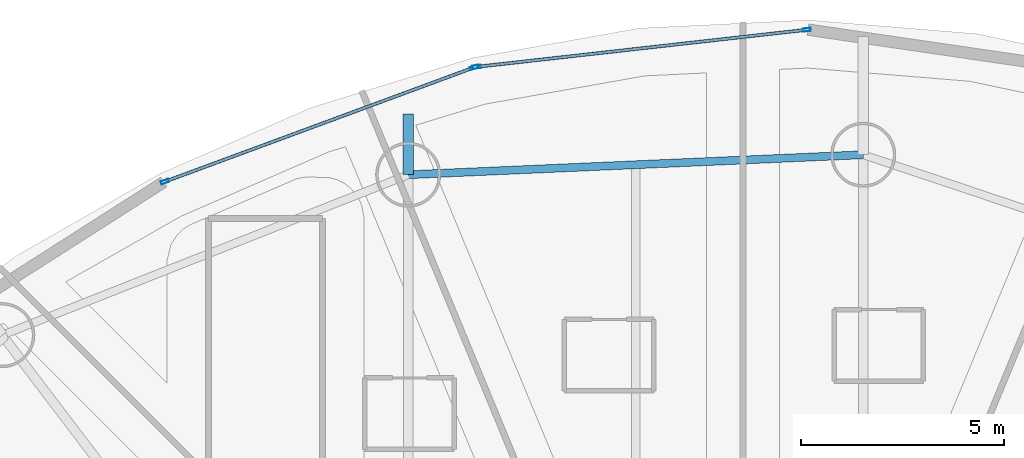
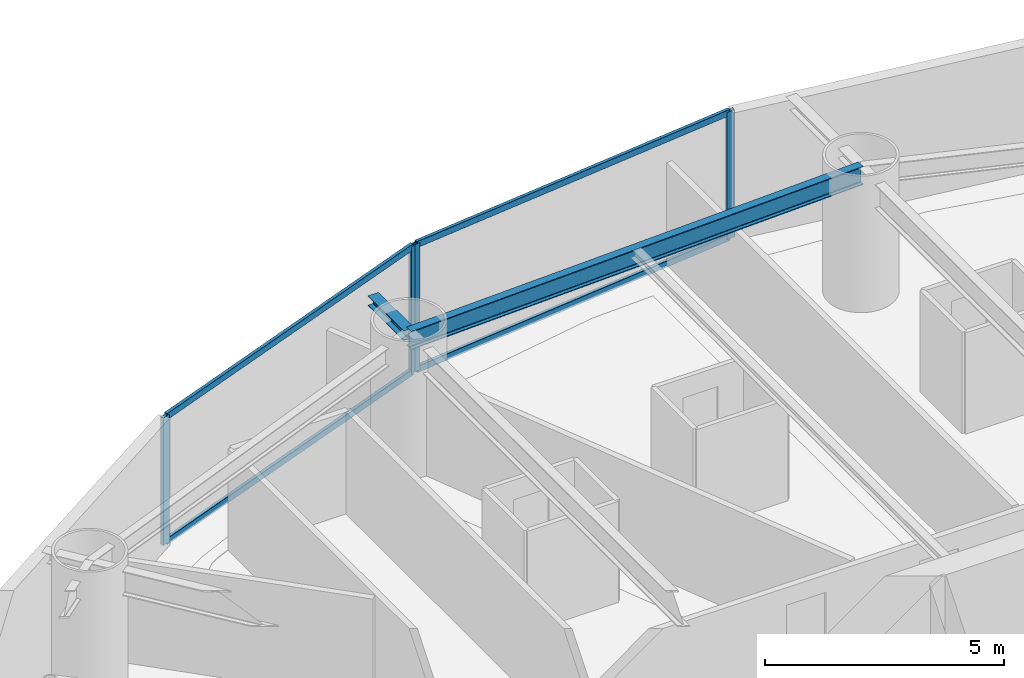
# One storey, part 15 of 27: 8 members, 2 beams, 2 elements without a shape of their own.
"""IFC4 building model written with IfcOpenShell, lengths in metres."""

import ifcopenshell
import ifcopenshell.guid

model = None  # the IFC model being written
_history = None  # IfcOwnerHistory: only IFC2X3 demands one
_inside = {}  # id of a spatial element -> (the spatial element, [elements in it])
_under = {}  # id of a project, library or spatial element -> (it, [spatial elements below it])
_declared = {}  # id of a project -> (the project, [libraries it declares])
_typed = {}  # id of a type object -> (the type object, [elements of that type])
_made_of = {}  # id of a material, layer set ... -> (it, [elements and type objects made of it])


def new_model(schema):
    """Start an empty IFC model of exactly this schema.

    Asked for "IFC4X3", IfcOpenShell would pick the latest addendum, in which some entities
    have other attributes; the version numbers below select the first issue.
    IFC2X3 requires an IfcOwnerHistory on every rooted entity: one is made here for all.
    """
    global model, _history
    if schema == "IFC4X3":
        model = ifcopenshell.file(schema_version=(4, 3, 0, 0))
    else:
        model = ifcopenshell.file(schema=schema)
    _inside.clear()
    _under.clear()
    _declared.clear()
    _typed.clear()
    _made_of.clear()
    _history = None
    if model.schema == "IFC2X3":
        org = make("IfcOrganization", Name="unknown")
        user = make(
            "IfcPersonAndOrganization",
            ThePerson=make("IfcPerson", FamilyName="unknown"),
            TheOrganization=org,
        )
        app = make(
            "IfcApplication",
            ApplicationDeveloper=org,
            Version="unknown",
            ApplicationFullName="unknown",
            ApplicationIdentifier="unknown",
        )
        _history = make(
            "IfcOwnerHistory",
            OwningUser=user,
            OwningApplication=app,
            ChangeAction="ADDED",
            CreationDate=0,
        )
    return model


def make(cls, **values):
    """One entity of the class cls with the attributes given. An attribute that is None is left unset."""
    return model.create_entity(
        cls, **{name: value for name, value in values.items() if value is not None}
    )


def rooted(cls, **values):
    """An entity with a GlobalId (a new one), such as an element, a storey or a relation."""
    return make(cls, GlobalId=ifcopenshell.guid.new(), OwnerHistory=_history, **values)


def si_unit(unit_type, name, prefix=None):
    """IfcSIUnit, for example si_unit("LENGTHUNIT", "METRE", prefix="MILLI")."""
    return make("IfcSIUnit", UnitType=unit_type, Prefix=prefix, Name=name)


def assignment(units):
    """IfcUnitAssignment: the units of a project."""
    return None if units is None else make("IfcUnitAssignment", Units=units)


def point(xyz):
    """IfcCartesianPoint."""
    return None if xyz is None else make("IfcCartesianPoint", Coordinates=xyz)


def direction(xyz):
    """IfcDirection."""
    return None if xyz is None else make("IfcDirection", DirectionRatios=xyz)


def frame(location, z_axis=None, x_axis=None):
    """IfcAxis2Placement3D, a coordinate frame: its origin and axes. An axis left out is left unset."""
    return make(
        "IfcAxis2Placement3D",
        Location=point(location),
        Axis=direction(z_axis),
        RefDirection=direction(x_axis),
    )


def frame_2d(location, x_axis=None):
    """IfcAxis2Placement2D, a coordinate frame in the plane: its origin and x axis."""
    return make(
        "IfcAxis2Placement2D", Location=point(location), RefDirection=direction(x_axis)
    )


def origin():
    """The frame at (0, 0, 0) with its axes left unset."""
    return frame((0.0, 0.0, 0.0))


def origin_2d():
    """The frame at (0, 0) in the plane with its x axis left unset."""
    return frame_2d((0.0, 0.0))


def place(relative_to, where):
    """IfcLocalPlacement: puts the frame where relative to a parent placement (None: the world)."""
    return make(
        "IfcLocalPlacement", PlacementRelTo=relative_to, RelativePlacement=where
    )


def context(
    kind, dimensions, precision=None, world=None, true_north=None, identifier=None
):
    """IfcGeometricRepresentationContext, for example the 3D "Model" context."""
    return make(
        "IfcGeometricRepresentationContext",
        ContextIdentifier=identifier,
        ContextType=kind,
        CoordinateSpaceDimension=dimensions,
        Precision=precision,
        WorldCoordinateSystem=world,
        TrueNorth=true_north,
    )


def subcontext(parent, identifier, kind, view, scale=None):
    """IfcGeometricRepresentationSubContext, for example "Body" below "Model"."""
    return make(
        "IfcGeometricRepresentationSubContext",
        ContextIdentifier=identifier,
        ContextType=kind,
        ParentContext=parent,
        TargetScale=scale,
        TargetView=view,
    )


def project(units=None, contexts=None):
    """IfcProject with its units and contexts."""
    return rooted(
        "IfcProject",
        Name="project",
        RepresentationContexts=contexts,
        UnitsInContext=assignment(units),
    )


def spatial(cls, under=None, at=None, **own):
    """A site, building, storey or space (cls), placed at a placement, below another one or the project."""
    s = rooted(cls, ObjectPlacement=at, **own)
    if under is not None:
        _under.setdefault(under.id(), (under, []))[1].append(s)
    return s


def profile(cls, at=None, kind="AREA", **sizes):
    """A parametric profile (cls). Its sizes go by their IFC names, for example OverallWidth=200.0."""
    return make(cls, ProfileType=kind, Position=at, **sizes)


def hollow_rectangle(**sizes):
    """IfcRectangleHollowProfileDef."""
    return profile("IfcRectangleHollowProfileDef", **sizes)


def i_section(**sizes):
    """IfcIShapeProfileDef."""
    return profile("IfcIShapeProfileDef", **sizes)


def extrude(swept, where, along, depth):
    """IfcExtrudedAreaSolid: the profile swept, set in the frame where, extruded along a direction by depth."""
    return make(
        "IfcExtrudedAreaSolid",
        SweptArea=swept,
        Position=where,
        ExtrudedDirection=direction(along),
        Depth=depth,
    )


def shape(context_of_items, identifier, shape_type, items):
    """IfcShapeRepresentation: the items that make up one representation, for example the "Body"."""
    return make(
        "IfcShapeRepresentation",
        ContextOfItems=context_of_items,
        RepresentationIdentifier=identifier,
        RepresentationType=shape_type,
        Items=items,
    )


def material(Name=None, Category=None):
    """IfcMaterial."""
    return make("IfcMaterial", Name=Name, Category=Category)


def layer(
    of_material, thickness, ventilated=None, Name=None, Category=None, Priority=None
):
    """IfcMaterialLayer: one layer of a wall or slab, of a material (None: an air gap)."""
    return make(
        "IfcMaterialLayer",
        Material=of_material,
        LayerThickness=thickness,
        IsVentilated=ventilated,
        Name=Name,
        Category=Category,
        Priority=Priority,
    )


def layer_set(layers, Name=None):
    """IfcMaterialLayerSet."""
    return make("IfcMaterialLayerSet", MaterialLayers=layers, LayerSetName=Name)


def material_profile(
    of_material, cross_section, Name=None, Category=None, Priority=None
):
    """IfcMaterialProfile: a cross section and its material."""
    return make(
        "IfcMaterialProfile",
        Name=Name,
        Material=of_material,
        Profile=cross_section,
        Priority=Priority,
        Category=Category,
    )


def profile_set(profiles, Name=None, composite=None):
    """IfcMaterialProfileSet."""
    return make(
        "IfcMaterialProfileSet",
        Name=Name,
        MaterialProfiles=profiles,
        CompositeProfile=composite,
    )


def made_of(thing, what):
    """Note that an element or type object is made of a material, layer set ...; save() writes the relation."""
    if what is not None:
        _made_of.setdefault(what.id(), (what, []))[1].append(thing)
    return thing


def type_object(cls, material=None, **own):
    """A type object (cls), such as IfcWallType, which elements share."""
    return made_of(rooted(cls, **own), material)


def element(
    cls,
    number,
    at=None,
    inside=None,
    cuts=None,
    type_object=None,
    material=None,
    context=None,
    identifier="Body",
    shape_type=None,
    held_by="IfcProductDefinitionShape",
    body=None,
    shapes=None,
    **own,
):
    """One element of the class cls, such as IfcWall. Its Tag is "e" and its number.

    at: its placement. inside: the storey or other place that contains it. cuts: it is an
    opening in that element (IfcRelVoidsElement). A single representation is given by context,
    identifier, shape_type and body (its items); several are given by shapes. held_by: the class
    of the entity that holds the representations. save() writes the other relations.
    """
    e = rooted(cls, Tag="e%d" % number, ObjectPlacement=at, **own)
    if body is not None:
        shapes = [shape(context, identifier, shape_type, body)]
    if shapes is not None:
        e.Representation = make(held_by, Representations=shapes)
    if inside is not None:
        _inside.setdefault(inside.id(), (inside, []))[1].append(e)
    if cuts is not None:
        rooted(
            "IfcRelVoidsElement", RelatingBuildingElement=cuts, RelatedOpeningElement=e
        )
    if type_object is not None:
        _typed.setdefault(type_object.id(), (type_object, []))[1].append(e)
    return made_of(e, material)


def aggregate(whole, parts):
    """IfcRelAggregates: a whole, such as a stair, and the parts it consists of."""
    return rooted("IfcRelAggregates", RelatingObject=whole, RelatedObjects=parts)


def save(model, path):
    """Write the relations noted so far, then the file.

    IfcRelAggregates (storeys below a building ...), IfcRelContainedInSpatialStructure (elements
    in a storey), IfcRelDefinesByType, IfcRelAssociatesMaterial and IfcRelDeclares: one each for
    every whole, place, type object, material and project.
    """
    for whole, parts in _under.values():
        aggregate(whole, parts)
    for where, things in _inside.values():
        rooted(
            "IfcRelContainedInSpatialStructure",
            RelatedElements=things,
            RelatingStructure=where,
        )
    for kind, things in _typed.values():
        rooted("IfcRelDefinesByType", RelatedObjects=things, RelatingType=kind)
    for what, things in _made_of.values():
        rooted("IfcRelAssociatesMaterial", RelatedObjects=things, RelatingMaterial=what)
    for by, libraries in _declared.values():
        rooted("IfcRelDeclares", RelatingContext=by, RelatedDefinitions=libraries)
    model.write(path)


model = new_model("IFC4")

# Units and contexts
model_context = context("Model", 3, precision=1e-05, world=origin(), true_north=direction((0.0, 1.0)))
body_context = subcontext(model_context, "Body", "Model", "MODEL_VIEW")
ifc_project = project(units=[si_unit("LENGTHUNIT", "METRE"), si_unit("AREAUNIT", "SQUARE_METRE"), si_unit("VOLUMEUNIT", "CUBIC_METRE"), si_unit("PLANEANGLEUNIT", "RADIAN"), si_unit("MASSUNIT", "GRAM", prefix="KILO")], contexts=[model_context])

# Site, building, storey
site_placement = place(None, origin())
site = spatial("IfcSite", under=ifc_project, at=site_placement, CompositionType="ELEMENT")
building_placement = place(site_placement, origin())
building = spatial("IfcBuilding", under=site, at=building_placement, Name="Bramvorn Convention Spire", CompositionType="ELEMENT")
storey_placement = place(building_placement, frame((0.0, 0.0, 41.39990234375)))
storey = spatial("IfcBuildingStorey", under=building, at=storey_placement, Name="L07", CompositionType="ELEMENT", Elevation=41.39990234375)

# Beams
ifc_material_1 = material(Name="Steel CSA G40.21 Grade 350 (350W)", Category="steel")
ifc_material_profile_1 = material_profile(ifc_material_1, i_section(OverallWidth=0.25390625, OverallDepth=0.2529296875, WebThickness=0.008544921875, FlangeThickness=0.01416015625, FilletRadius=0.011962890625, at=origin_2d()))
ifc_profile_set_1 = profile_set([ifc_material_profile_1], Name="Steel CSA G40.21 Grade 350 (350W) - W250X73")
beam_type_1 = type_object("IfcBeamType", Name="BM-W250X73", PredefinedType="BEAM", material=ifc_profile_set_1)
beam_1_placement = place(storey_placement, frame((29.76220703125, 46.57666015625, 3.12353515625), z_axis=(0.0, 1.0, 0.0), x_axis=(-1.0, 0.0, 0.0)))
element("IfcBeam", 1, at=beam_1_placement, inside=storey, type_object=beam_type_1, Name="L07 slab-edge cantilever tip beam MC06", PredefinedType="BEAM", context=body_context, shape_type="SweptSolid", body=[
    extrude(i_section(OverallWidth=0.25390625, OverallDepth=0.2529296875, WebThickness=0.008544921875, FlangeThickness=0.01416015625, FilletRadius=0.011962890625, at=origin_2d()), origin(), (0.0, 0.0, 1.0), 1.48974609375),
])
ifc_material_profile_2 = material_profile(ifc_material_1, i_section(OverallWidth=0.194091796875, OverallDepth=0.468994140625, WebThickness=0.0126953125, FlangeThickness=0.0205078125, FilletRadius=0.01806640625, at=origin_2d()))
ifc_profile_set_2 = profile_set([ifc_material_profile_2], Name="Steel CSA G40.21 Grade 350 (350W) - W460X106")
beam_type_2 = type_object("IfcBeamType", Name="BM-W460X106", PredefinedType="SPANDREL", material=ifc_profile_set_2)
beam_2_placement = place(storey_placement, frame((40.9609375, 47.06884765625, 3.015625), z_axis=(-0.999035582762, -0.043907907889, 0.0), x_axis=(0.043907907889, -0.999035582762, 0.0)))
element("IfcBeam", 2, at=beam_2_placement, inside=storey, type_object=beam_type_2, Name="L07 mega-column ring beam 05", PredefinedType="SPANDREL", context=body_context, shape_type="SweptSolid", body=[
    extrude(i_section(OverallWidth=0.194091796875, OverallDepth=0.468994140625, WebThickness=0.0126953125, FlangeThickness=0.0205078125, FilletRadius=0.01806640625, at=origin_2d()), origin(), (0.0, 0.0, 1.0), 11.20947265625),
])

# Curtain wall, members
ifc_material_2 = material(Name="Anodised Bronze Unitised Curtain Wall", Category="aluminium")
ifc_layer = layer(ifc_material_2, 0.179931640625)
ifc_layer_set = layer_set([ifc_layer], Name="Anodised Bronze Unitised Curtain Wall - CW-HTL-FRIT")
curtain_wall_type = type_object("IfcCurtainWallType", Name="CW-HTL-FRIT", PredefinedType="USERDEFINED", material=ifc_layer_set)
curtain_wall_1_placement = place(storey_placement, origin())
curtain_wall_1 = element("IfcCurtainWall", 3, at=curtain_wall_1_placement, inside=storey, type_object=curtain_wall_type, Name="L07 fritted glass curtain wall 07", ObjectType="UNITISED CURTAIN WALL", PredefinedType="USERDEFINED")
ifc_material_3 = material(Name="Anodised Bronze Aluminium 6063-T6", Category="aluminium")
ifc_material_profile_3 = material_profile(ifc_material_3, hollow_rectangle(XDim=0.080078125, YDim=0.199951171875, WallThickness=0.00390625, InnerFilletRadius=0.0009765625, OuterFilletRadius=0.00390625, at=origin_2d()))
ifc_profile_set_3 = profile_set([ifc_material_profile_3], Name="Anodised Bronze Aluminium 6063-T6 - CWM80X200")
member_type_1 = type_object("IfcMemberType", Name="CW-MUL-180", PredefinedType="MULLION", material=ifc_profile_set_3)
member_1_placement = place(storey_placement, frame((31.4404296875, 49.23095703125, 0.0), z_axis=(0.0, 0.0, 1.0), x_axis=(-0.111583433445, 0.993755069109, 0.0)))
member_1 = element("IfcMember", 4, at=member_1_placement, type_object=member_type_1, Name="CW2 mullion 1", PredefinedType="MULLION", context=body_context, shape_type="SweptSolid", body=[
    extrude(hollow_rectangle(XDim=0.080078125, YDim=0.199951171875, WallThickness=0.00390625, InnerFilletRadius=0.0009765625, OuterFilletRadius=0.00390625, at=origin_2d()), origin(), (0.0, 0.0, 1.0), 3.25),
])
member_2_placement = place(storey_placement, frame((39.57080078125, 50.143798828125, 0.0), z_axis=(0.0, 0.0, 1.0), x_axis=(-0.111583433445, 0.993755069109, 0.0)))
member_2 = element("IfcMember", 5, at=member_2_placement, type_object=member_type_1, Name="CW2 mullion 2", PredefinedType="MULLION", context=body_context, shape_type="SweptSolid", body=[
    extrude(hollow_rectangle(XDim=0.080078125, YDim=0.199951171875, WallThickness=0.00390625, InnerFilletRadius=0.0009765625, OuterFilletRadius=0.00390625, at=origin_2d()), origin(), (0.0, 0.0, 1.0), 3.25),
])

curtain_wall_2_placement = place(storey_placement, origin())
curtain_wall_2 = element("IfcCurtainWall", 6, at=curtain_wall_2_placement, inside=storey, type_object=curtain_wall_type, Name="L07 fritted glass curtain wall 08", ObjectType="UNITISED CURTAIN WALL", PredefinedType="USERDEFINED")
member_3_placement = place(storey_placement, frame((23.7744140625, 46.406494140625, 0.0), z_axis=(0.0, 0.0, 1.0), x_axis=(-0.346549715774, 0.938031606342, 0.0)))
member_3 = element("IfcMember", 7, at=member_3_placement, type_object=member_type_1, Name="CW2 mullion 1", PredefinedType="MULLION", context=body_context, shape_type="SweptSolid", body=[
    extrude(hollow_rectangle(XDim=0.080078125, YDim=0.199951171875, WallThickness=0.00390625, InnerFilletRadius=0.0009765625, OuterFilletRadius=0.00390625, at=origin_2d()), origin(), (0.0, 0.0, 1.0), 3.25),
])
member_4_placement = place(storey_placement, frame((31.382568359375, 49.21728515625, 0.0), z_axis=(0.0, 0.0, 1.0), x_axis=(-0.346549715774, 0.938031606342, 0.0)))
member_4 = element("IfcMember", 8, at=member_4_placement, type_object=member_type_1, Name="CW2 mullion 2", PredefinedType="MULLION", context=body_context, shape_type="SweptSolid", body=[
    extrude(hollow_rectangle(XDim=0.080078125, YDim=0.199951171875, WallThickness=0.00390625, InnerFilletRadius=0.0009765625, OuterFilletRadius=0.00390625, at=origin_2d()), origin(), (0.0, 0.0, 1.0), 3.25),
])

# Member
ifc_material_profile_4 = material_profile(ifc_material_3, hollow_rectangle(XDim=0.080078125, YDim=0.159912109375, WallThickness=0.00390625, InnerFilletRadius=0.0009765625, OuterFilletRadius=0.00390625, at=origin_2d()))
ifc_profile_set_4 = profile_set([ifc_material_profile_4], Name="Anodised Bronze Aluminium 6063-T6 - CWT80X160")
member_type_2 = type_object("IfcMemberType", Name="CW-TRN-150", PredefinedType="USERDEFINED", material=ifc_profile_set_4)
member_5_placement = place(storey_placement, frame((31.47021484375, 49.234375, 0.030029296875), z_axis=(0.993754754895, 0.11158623178, 0.0), x_axis=(-0.11158623178, 0.993754754895, 0.0)))
member_5 = element("IfcMember", 9, at=member_5_placement, type_object=member_type_2, Name="CW2 transom 1.1", ObjectType="TRANSOM", PredefinedType="USERDEFINED", context=body_context, shape_type="SweptSolid", body=[
    extrude(hollow_rectangle(XDim=0.080078125, YDim=0.159912109375, WallThickness=0.00390625, InnerFilletRadius=0.0009765625, OuterFilletRadius=0.00390625, at=origin_2d()), origin(), (0.0, 0.0, 1.0), 8.12158203125),
])

member_6_placement = place(storey_placement, frame((31.47021484375, 49.234375, 3.22021484375), z_axis=(0.993754754895, 0.11158623178, 0.0), x_axis=(-0.11158623178, 0.993754754895, 0.0)))
member_6 = element("IfcMember", 10, at=member_6_placement, type_object=member_type_2, Name="CW2 transom 1.2", ObjectType="TRANSOM", PredefinedType="USERDEFINED", context=body_context, shape_type="SweptSolid", body=[
    extrude(hollow_rectangle(XDim=0.080078125, YDim=0.159912109375, WallThickness=0.00390625, InnerFilletRadius=0.0009765625, OuterFilletRadius=0.00390625, at=origin_2d()), origin(), (0.0, 0.0, 1.0), 8.12158203125),
])

aggregate(curtain_wall_1, [member_1, member_2, member_5, member_6])

member_7_placement = place(storey_placement, frame((23.802490234375, 46.416748046875, 0.030029296875), z_axis=(0.938031576505, 0.346549796538, 0.0), x_axis=(-0.346549796538, 0.938031576505, 0.0)))
member_7 = element("IfcMember", 11, at=member_7_placement, type_object=member_type_2, Name="CW2 transom 1.1", ObjectType="TRANSOM", PredefinedType="USERDEFINED", context=body_context, shape_type="SweptSolid", body=[
    extrude(hollow_rectangle(XDim=0.080078125, YDim=0.159912109375, WallThickness=0.00390625, InnerFilletRadius=0.0009765625, OuterFilletRadius=0.00390625, at=origin_2d()), origin(), (0.0, 0.0, 1.0), 8.051025390625),
])

member_8_placement = place(storey_placement, frame((23.802490234375, 46.416748046875, 3.22021484375), z_axis=(0.938031576505, 0.346549796538, 0.0), x_axis=(-0.346549796538, 0.938031576505, 0.0)))
member_8 = element("IfcMember", 12, at=member_8_placement, type_object=member_type_2, Name="CW2 transom 1.2", ObjectType="TRANSOM", PredefinedType="USERDEFINED", context=body_context, shape_type="SweptSolid", body=[
    extrude(hollow_rectangle(XDim=0.080078125, YDim=0.159912109375, WallThickness=0.00390625, InnerFilletRadius=0.0009765625, OuterFilletRadius=0.00390625, at=origin_2d()), origin(), (0.0, 0.0, 1.0), 8.051025390625),
])

aggregate(curtain_wall_2, [member_3, member_4, member_7, member_8])

save(model, "model.ifc")
